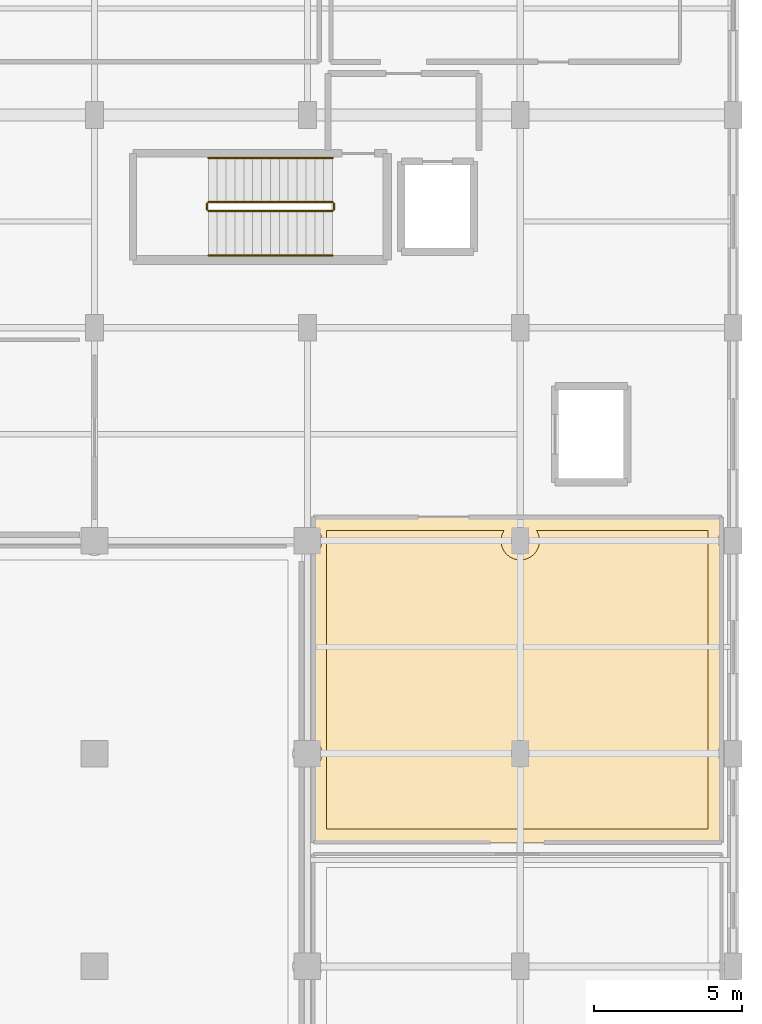
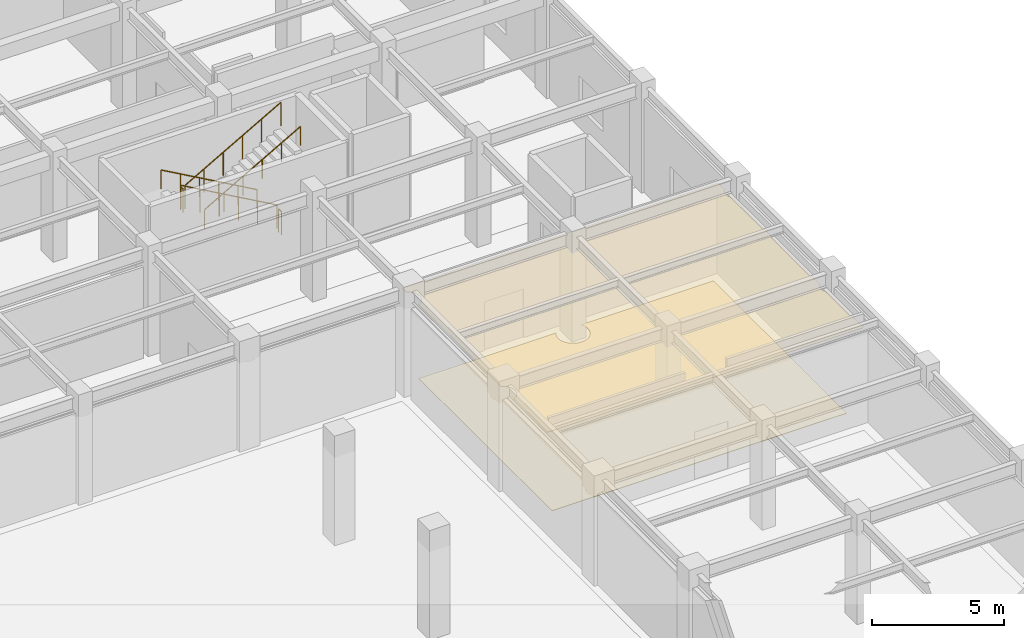
# One storey, part 116 of 117: 6 railings, 2 coverings.
"""IFC4 building model written with IfcOpenShell, lengths in metres."""

from ifc_helpers import new_model, si_unit, direction, frame, origin, origin_2d, place, context, subcontext, project, spatial, polyline, circle, outline, extrude, material, layer, layer_set, type_object, element, save


model = new_model("IFC4")

# Units and contexts
model_context = context("Model", 3, precision=1e-05, world=origin(), true_north=direction((0.0, 1.0)))
body_context = subcontext(model_context, "Body", "Model", "MODEL_VIEW")
ifc_project = project(units=[si_unit("LENGTHUNIT", "METRE"), si_unit("AREAUNIT", "SQUARE_METRE"), si_unit("VOLUMEUNIT", "CUBIC_METRE"), si_unit("PLANEANGLEUNIT", "RADIAN"), si_unit("MASSUNIT", "GRAM", prefix="KILO")], contexts=[model_context])

# Site, building, storey
site_placement = place(None, origin())
site = spatial("IfcSite", under=ifc_project, at=site_placement, CompositionType="ELEMENT")
building_placement = place(site_placement, origin())
building = spatial("IfcBuilding", under=site, at=building_placement, Name="Carrowvane Square Congress Hotel", CompositionType="ELEMENT")
storey_placement = place(building_placement, frame((0.0, 0.0, 5.39990234375)))
storey = spatial("IfcBuildingStorey", under=building, at=storey_placement, Name="L01", CompositionType="ELEMENT", Elevation=5.39990234375)

# Coverings
ifc_material_1 = material(Name="Acoustic gypsum board", Category="gypsum")
ifc_layer_1 = layer(ifc_material_1, 0.02001953125)
ifc_layer_set_1 = layer_set([ifc_layer_1], Name="Acoustic gypsum board")
covering_type_1 = type_object("IfcCoveringType", Name="COV-CLG-AC20", PredefinedType="CEILING", material=ifc_layer_set_1)
covering_1_placement = place(storey_placement, frame((0.0, 0.0, 4.0830078125)))
element("IfcCovering", 1, at=covering_1_placement, inside=storey, type_object=covering_type_1, Name="L01 VIP Speaker Preparation Lounge acoustic ceiling", PredefinedType="CEILING", context=body_context, shape_type="SweptSolid", body=[
    extrude(outline(polyline([(170.19140625, 40.93798828125), (170.235595703125, 40.958984375), (170.27783203125, 40.984375), (170.317138671875, 41.013427734375), (170.353515625, 41.04638671875), (170.386474609375, 41.082763671875), (170.415771484375, 41.122314453125), (170.44091796875, 41.164306640625), (170.4619140625, 41.208740234375), (170.478515625, 41.2548828125), (170.490478515625, 41.302490234375), (170.49755859375, 41.35107421875), (170.5, 41.39990234375), (170.49755859375, 41.448974609375), (170.490478515625, 41.49755859375), (170.478515625, 41.545166015625), (170.4619140625, 41.59130859375), (170.44091796875, 41.6357421875), (170.415771484375, 41.677734375), (170.386474609375, 41.71728515625), (170.353515625, 41.753662109375), (170.317138671875, 41.78662109375), (170.27783203125, 41.815673828125), (170.235595703125, 41.841064453125), (170.19140625, 41.86181640625), (170.179931640625, 41.865966796875), (170.179931640625, 48.134033203125), (170.19140625, 48.13818359375), (170.235595703125, 48.158935546875), (170.27783203125, 48.184326171875), (170.317138671875, 48.21337890625), (170.353515625, 48.246337890625), (170.386474609375, 48.28271484375), (170.415771484375, 48.322265625), (170.44091796875, 48.3642578125), (170.4619140625, 48.40869140625), (170.478515625, 48.454833984375), (170.490478515625, 48.50244140625), (170.49755859375, 48.551025390625), (170.5, 48.60009765625), (170.49755859375, 48.64892578125), (170.490478515625, 48.697509765625), (170.478515625, 48.7451171875), (170.4619140625, 48.791259765625), (170.44091796875, 48.835693359375), (170.415771484375, 48.877685546875), (170.386474609375, 48.917236328125), (170.353515625, 48.95361328125), (170.317138671875, 48.986572265625), (170.27783203125, 49.015625), (170.235595703125, 49.041015625), (170.19140625, 49.06201171875), (170.179931640625, 49.06591796875), (170.179931640625, 49.39990234375), (170.18017578125, 49.402099609375), (170.180419921875, 49.40380859375), (170.180908203125, 49.40576171875), (170.181396484375, 49.40771484375), (170.182373046875, 49.409423828125), (170.183349609375, 49.4111328125), (170.1845703125, 49.41259765625), (170.185791015625, 49.4140625), (170.187255859375, 49.41552734375), (170.18896484375, 49.41650390625), (170.190673828125, 49.41748046875), (170.1923828125, 49.41845703125), (170.194091796875, 49.419189453125), (170.196044921875, 49.419677734375), (170.197998046875, 49.419921875), (170.199951171875, 49.419921875), (184.0, 49.419921875), (184.001953125, 49.419921875), (184.00390625, 49.419677734375), (184.005859375, 49.419189453125), (184.0078125, 49.41845703125), (184.009521484375, 49.41748046875), (184.010986328125, 49.41650390625), (184.0126953125, 49.41552734375), (184.01416015625, 49.4140625), (184.015380859375, 49.41259765625), (184.0166015625, 49.4111328125), (184.017578125, 49.409423828125), (184.0185546875, 49.40771484375), (184.01904296875, 49.40576171875), (184.01953125, 49.40380859375), (184.02001953125, 49.402099609375), (184.02001953125, 49.39990234375), (184.02001953125, 48.92431640625), (184.013427734375, 48.917236328125), (183.984375, 48.877685546875), (183.958984375, 48.835693359375), (183.93798828125, 48.791259765625), (183.92138671875, 48.7451171875), (183.90966796875, 48.697509765625), (183.90234375, 48.64892578125), (183.89990234375, 48.60009765625), (183.90234375, 48.551025390625), (183.90966796875, 48.50244140625), (183.92138671875, 48.454833984375), (183.93798828125, 48.40869140625), (183.958984375, 48.3642578125), (183.984375, 48.322265625), (184.013427734375, 48.28271484375), (184.02001953125, 48.275634765625), (184.02001953125, 41.724365234375), (184.013427734375, 41.71728515625), (183.984375, 41.677734375), (183.958984375, 41.6357421875), (183.93798828125, 41.59130859375), (183.92138671875, 41.545166015625), (183.90966796875, 41.49755859375), (183.90234375, 41.448974609375), (183.89990234375, 41.39990234375), (183.90234375, 41.35107421875), (183.90966796875, 41.302490234375), (183.92138671875, 41.2548828125), (183.93798828125, 41.208740234375), (183.958984375, 41.164306640625), (183.984375, 41.122314453125), (184.013427734375, 41.082763671875), (184.02001953125, 41.07568359375), (184.02001953125, 38.39990234375), (184.02001953125, 38.39794921875), (184.01953125, 38.39599609375), (184.01904296875, 38.394287109375), (184.0185546875, 38.392333984375), (184.017578125, 38.390625), (184.0166015625, 38.388916015625), (184.015380859375, 38.38720703125), (184.01416015625, 38.385986328125), (184.0126953125, 38.384521484375), (184.010986328125, 38.38330078125), (184.009521484375, 38.38232421875), (184.0078125, 38.381591796875), (184.005859375, 38.380859375), (184.00390625, 38.38037109375), (184.001953125, 38.380126953125), (184.0, 38.3798828125), (170.199951171875, 38.3798828125), (170.197998046875, 38.380126953125), (170.196044921875, 38.38037109375), (170.194091796875, 38.380859375), (170.1923828125, 38.381591796875), (170.190673828125, 38.38232421875), (170.18896484375, 38.38330078125), (170.187255859375, 38.384521484375), (170.185791015625, 38.385986328125), (170.1845703125, 38.38720703125), (170.183349609375, 38.388916015625), (170.182373046875, 38.390625), (170.181396484375, 38.392333984375), (170.180908203125, 38.394287109375), (170.180419921875, 38.39599609375), (170.18017578125, 38.39794921875), (170.179931640625, 38.39990234375), (170.179931640625, 40.93408203125), (170.19140625, 40.93798828125)])), origin(), (0.0, 0.0, 1.0), 0.019775390625),
])
ifc_material_2 = material(Name="Ceramic porcelain tile", Category="stone")
ifc_layer_2 = layer(ifc_material_2, 0.02197265625)
ifc_layer_set_2 = layer_set([ifc_layer_2], Name="Ceramic porcelain tile")
covering_type_2 = type_object("IfcCoveringType", Name="COV-FLR-TRZ22", PredefinedType="FLOORING", material=ifc_layer_set_2)
covering_2_placement = place(storey_placement, origin())
element("IfcCovering", 2, at=covering_2_placement, inside=storey, type_object=covering_type_2, Name="L01 VIP Speaker Preparation Lounge floor finish", PredefinedType="FLOORING", context=body_context, shape_type="SweptSolid", body=[
    extrude(outline(polyline([(177.326904296875, 47.96240234375), (177.388671875, 47.97802734375), (177.44873046875, 47.99951171875), (177.50634765625, 48.02685546875), (177.56103515625, 48.0595703125), (177.6123046875, 48.097412109375), (177.65966796875, 48.140380859375), (177.702392578125, 48.1875), (177.740478515625, 48.239013671875), (177.773193359375, 48.293701171875), (177.800537109375, 48.351318359375), (177.822021484375, 48.411376953125), (177.83740234375, 48.47314453125), (177.846923828125, 48.536376953125), (177.85009765625, 48.60009765625), (177.846923828125, 48.663818359375), (177.83740234375, 48.726806640625), (177.822021484375, 48.788818359375), (177.800537109375, 48.8486328125), (177.773193359375, 48.906494140625), (177.7470703125, 48.949951171875), (183.550048828125, 48.949951171875), (183.550048828125, 38.85009765625), (170.64990234375, 38.85009765625), (170.64990234375, 41.39990234375), (170.64990234375, 41.39990234375), (170.64990234375, 41.39990234375), (170.64990234375, 48.60009765625), (170.64990234375, 48.60009765625), (170.64990234375, 48.60009765625), (170.64990234375, 48.949951171875), (176.65283203125, 48.949951171875), (176.626708984375, 48.906494140625), (176.599609375, 48.8486328125), (176.577880859375, 48.788818359375), (176.5625, 48.726806640625), (176.552978515625, 48.663818359375), (176.550048828125, 48.60009765625), (176.552978515625, 48.536376953125), (176.5625, 48.47314453125), (176.577880859375, 48.411376953125), (176.599609375, 48.351318359375), (176.626708984375, 48.293701171875), (176.659423828125, 48.239013671875), (176.697509765625, 48.1875), (176.740478515625, 48.140380859375), (176.78759765625, 48.097412109375), (176.8388671875, 48.0595703125), (176.8935546875, 48.02685546875), (176.951416015625, 47.99951171875), (177.01123046875, 47.97802734375), (177.0732421875, 47.96240234375), (177.13623046875, 47.953125), (177.199951171875, 47.949951171875), (177.263671875, 47.953125), (177.326904296875, 47.96240234375)])), origin(), (0.0, 0.0, 1.0), 0.022216796875),
])

# Railings
ifc_material_3 = material(Name="Stainless steel 316", Category="steel")
ifc_layer_3 = layer(ifc_material_3, 0.048095703125)
ifc_layer_set_3 = layer_set([ifc_layer_3], Name="Stainless steel 316")
railing_type_1 = type_object("IfcRailingType", Name="RLG-HR-900", PredefinedType="HANDRAIL", material=ifc_layer_set_3)
railing_1_placement = place(storey_placement, frame((170.85009765625, 61.550048828125, 0.170166015625)))
element("IfcRailing", 3, at=railing_1_placement, inside=storey, type_object=railing_type_1, Name="L01 ST4 stair handrail 1", PredefinedType="HANDRAIL", context=body_context, shape_type="SweptSolid", body=[
    extrude(circle(Radius=0.02392578125, at=origin_2d()), frame((0.0, 0.0, 0.8759765625), z_axis=(-0.870042430969, 0.0, 0.492976843588), x_axis=(0.0, -1.0, 0.0)), (0.0, 0.0, 1.0), 4.82763671875),
    extrude(circle(Radius=0.02099609375, at=origin_2d()), origin(), (0.0, 0.0, 1.0), 0.851806640625),
    extrude(circle(Radius=0.02099609375, at=origin_2d()), frame((-0.840087890625, 0.0, 0.47607421875)), (0.0, 0.0, 1.0), 0.851806640625),
    extrude(circle(Radius=0.02099609375, at=origin_2d()), frame((-1.68017578125, 0.0, 0.951904296875)), (0.0, 0.0, 1.0), 0.851806640625),
    extrude(circle(Radius=0.02099609375, at=origin_2d()), frame((-2.52001953125, 0.0, 1.427978515625)), (0.0, 0.0, 1.0), 0.851806640625),
    extrude(circle(Radius=0.02099609375, at=origin_2d()), frame((-3.360107421875, 0.0, 1.90380859375)), (0.0, 0.0, 1.0), 0.851806640625),
    extrude(circle(Radius=0.02099609375, at=origin_2d()), frame((-4.2001953125, 0.0, 2.3798828125)), (0.0, 0.0, 1.0), 0.851806640625),
])
railing_2_placement = place(storey_placement, frame((166.64990234375, 58.25, 2.72021484375)))
element("IfcRailing", 4, at=railing_2_placement, inside=storey, type_object=railing_type_1, Name="L01 ST4 stair handrail 2", PredefinedType="HANDRAIL", context=body_context, shape_type="SweptSolid", body=[
    extrude(circle(Radius=0.02392578125, at=origin_2d()), frame((0.0, 0.0, 0.8759765625), z_axis=(0.870042430969, 0.0, 0.492976843588), x_axis=(0.0, 1.0, 0.0)), (0.0, 0.0, 1.0), 4.82763671875),
    extrude(circle(Radius=0.02099609375, at=origin_2d()), origin(), (0.0, 0.0, 1.0), 0.851806640625),
    extrude(circle(Radius=0.02099609375, at=origin_2d()), frame((0.840087890625, 0.0, 0.47607421875)), (0.0, 0.0, 1.0), 0.851806640625),
    extrude(circle(Radius=0.02099609375, at=origin_2d()), frame((1.68017578125, 0.0, 0.951904296875)), (0.0, 0.0, 1.0), 0.851806640625),
    extrude(circle(Radius=0.02099609375, at=origin_2d()), frame((2.52001953125, 0.0, 1.427978515625)), (0.0, 0.0, 1.0), 0.851806640625),
    extrude(circle(Radius=0.02099609375, at=origin_2d()), frame((3.360107421875, 0.0, 1.90380859375)), (0.0, 0.0, 1.0), 0.851806640625),
    extrude(circle(Radius=0.02099609375, at=origin_2d()), frame((4.2001953125, 0.0, 2.3798828125)), (0.0, 0.0, 1.0), 0.851806640625),
])
ifc_material_4 = material(Name="Galvanised steel", Category="steel")
ifc_layer_4 = layer(ifc_material_4, 0.048095703125)
ifc_layer_set_4 = layer_set([ifc_layer_4], Name="Galvanised steel")
railing_type_2 = type_object("IfcRailingType", Name="RLG-STG-1100", PredefinedType="GUARDRAIL", material=ifc_layer_set_4)
railing_3_placement = place(storey_placement, frame((170.85009765625, 60.050048828125, 0.170166015625)))
element("IfcRailing", 5, at=railing_3_placement, inside=storey, type_object=railing_type_2, Name="L01 ST4 stair guard 1", PredefinedType="GUARDRAIL", context=body_context, shape_type="SweptSolid", body=[
    extrude(circle(Radius=0.02392578125, at=origin_2d()), frame((0.0, 0.0, 1.076171875), z_axis=(-0.870042430969, 0.0, 0.492976843588), x_axis=(0.0, -1.0, 0.0)), (0.0, 0.0, 1.0), 4.82763671875),
    extrude(circle(Radius=0.02099609375, at=origin_2d()), origin(), (0.0, 0.0, 1.0), 1.052001953125),
    extrude(circle(Radius=0.02099609375, at=origin_2d()), frame((-0.840087890625, 0.0, 0.47607421875)), (0.0, 0.0, 1.0), 1.052001953125),
    extrude(circle(Radius=0.02099609375, at=origin_2d()), frame((-1.68017578125, 0.0, 0.951904296875)), (0.0, 0.0, 1.0), 1.052001953125),
    extrude(circle(Radius=0.02099609375, at=origin_2d()), frame((-2.52001953125, 0.0, 1.427978515625)), (0.0, 0.0, 1.0), 1.052001953125),
    extrude(circle(Radius=0.02099609375, at=origin_2d()), frame((-3.360107421875, 0.0, 1.90380859375)), (0.0, 0.0, 1.0), 1.052001953125),
    extrude(circle(Radius=0.02099609375, at=origin_2d()), frame((-4.2001953125, 0.0, 2.3798828125)), (0.0, 0.0, 1.0), 1.052001953125),
])
railing_4_placement = place(storey_placement, frame((166.60009765625, 60.0, 2.550048828125)))
element("IfcRailing", 6, at=railing_4_placement, inside=storey, type_object=railing_type_2, Name="L01 ST4 stair guard 2", PredefinedType="GUARDRAIL", context=body_context, shape_type="SweptSolid", body=[
    extrude(circle(Radius=0.02392578125, at=origin_2d()), frame((0.0, 0.0, 1.076171875), z_axis=(0.0, -1.0, 0.0), x_axis=(1.0, 0.0, 0.0)), (0.0, 0.0, 1.0), 0.199951171875),
    extrude(circle(Radius=0.02099609375, at=origin_2d()), origin(), (0.0, 0.0, 1.0), 1.052001953125),
    extrude(circle(Radius=0.02099609375, at=origin_2d()), frame((0.0, -0.199951171875, 0.0)), (0.0, 0.0, 1.0), 1.052001953125),
])
railing_5_placement = place(storey_placement, frame((166.64990234375, 59.75, 2.72021484375)))
element("IfcRailing", 7, at=railing_5_placement, inside=storey, type_object=railing_type_2, Name="L01 ST4 stair guard 3", PredefinedType="GUARDRAIL", context=body_context, shape_type="SweptSolid", body=[
    extrude(circle(Radius=0.02392578125, at=origin_2d()), frame((0.0, 0.0, 1.076171875), z_axis=(0.870042430969, 0.0, 0.492976843588), x_axis=(0.0, 1.0, 0.0)), (0.0, 0.0, 1.0), 4.82763671875),
    extrude(circle(Radius=0.02099609375, at=origin_2d()), origin(), (0.0, 0.0, 1.0), 1.052001953125),
    extrude(circle(Radius=0.02099609375, at=origin_2d()), frame((0.840087890625, 0.0, 0.47607421875)), (0.0, 0.0, 1.0), 1.052001953125),
    extrude(circle(Radius=0.02099609375, at=origin_2d()), frame((1.68017578125, 0.0, 0.951904296875)), (0.0, 0.0, 1.0), 1.052001953125),
    extrude(circle(Radius=0.02099609375, at=origin_2d()), frame((2.52001953125, 0.0, 1.427978515625)), (0.0, 0.0, 1.0), 1.052001953125),
    extrude(circle(Radius=0.02099609375, at=origin_2d()), frame((3.360107421875, 0.0, 1.90380859375)), (0.0, 0.0, 1.0), 1.052001953125),
    extrude(circle(Radius=0.02099609375, at=origin_2d()), frame((4.2001953125, 0.0, 2.3798828125)), (0.0, 0.0, 1.0), 1.052001953125),
])
railing_6_placement = place(storey_placement, frame((170.89990234375, 60.0, 0.0)))
element("IfcRailing", 8, at=railing_6_placement, inside=storey, type_object=railing_type_2, Name="L01 ST4 stair guard 4", PredefinedType="GUARDRAIL", context=body_context, shape_type="SweptSolid", body=[
    extrude(circle(Radius=0.02392578125, at=origin_2d()), frame((0.0, 0.0, 1.076171875), z_axis=(0.0, -1.0, 0.0), x_axis=(1.0, 0.0, 0.0)), (0.0, 0.0, 1.0), 0.199951171875),
    extrude(circle(Radius=0.02099609375, at=origin_2d()), origin(), (0.0, 0.0, 1.0), 1.052001953125),
    extrude(circle(Radius=0.02099609375, at=origin_2d()), frame((0.0, -0.199951171875, 0.0)), (0.0, 0.0, 1.0), 1.052001953125),
])

save(model, "model.ifc")
